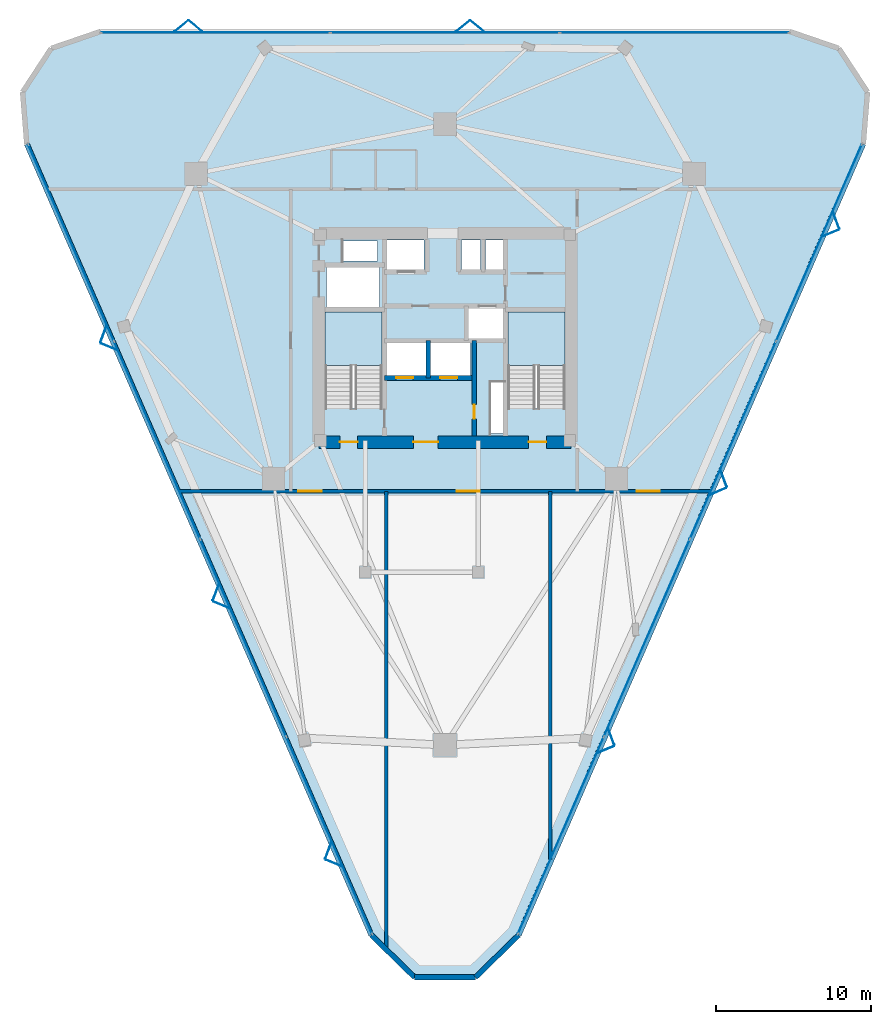
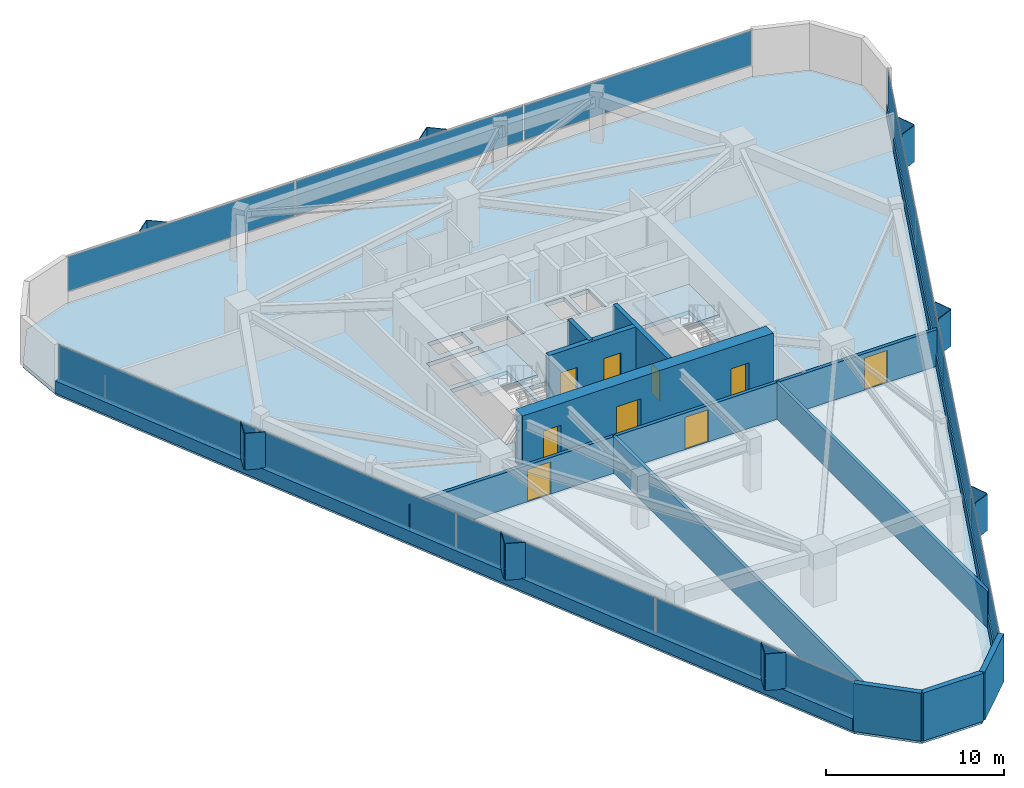
# One storey, part 9 of 13: 27 plates, 12 walls, 9 doors, 3 slabs, 9 openings, 5 elements without a shape of their own.
"""IFC4 building model written with IfcOpenShell, lengths in metres."""

from ifc_helpers import new_model, si_unit, direction, frame, frame_2d, origin, origin_2d, place, context, subcontext, project, spatial, polyline, rectangle, outline, extrude, material, layer, layer_set, type_object, element, fill, aggregate, save


model = new_model("IFC4")

# Units and contexts
model_context = context("Model", 3, precision=1e-05, world=origin(), true_north=direction((0.0, 1.0)))
body_context = subcontext(model_context, "Body", "Model", "MODEL_VIEW")
ifc_project = project(units=[si_unit("LENGTHUNIT", "METRE"), si_unit("AREAUNIT", "SQUARE_METRE"), si_unit("VOLUMEUNIT", "CUBIC_METRE"), si_unit("PLANEANGLEUNIT", "RADIAN"), si_unit("MASSUNIT", "GRAM", prefix="KILO")], contexts=[model_context])

# Site, building, storey
site_placement = place(None, origin())
site = spatial("IfcSite", under=ifc_project, at=site_placement, CompositionType="ELEMENT")
building_placement = place(site_placement, origin())
building = spatial("IfcBuilding", under=site, at=building_placement, Name="Talyreon Biosciences Tower", CompositionType="ELEMENT")
storey_placement = place(building_placement, frame((0.0, 0.0, 167.35009765625)))
storey = spatial("IfcBuildingStorey", under=building, at=storey_placement, Name="L44", CompositionType="ELEMENT", Elevation=167.35009765625)

# Curtain wall, plates
ifc_material_1 = material(Name="Thermally broken aluminium and low-E glazing", Category="aluminium")
ifc_layer_1 = layer(ifc_material_1, 0.18505859375)
ifc_layer_set_1 = layer_set([ifc_layer_1], Name="Thermally broken aluminium and low-E glazing")
curtain_wall_type = type_object("IfcCurtainWallType", Name="CurtainWall_Zone3Bioprocess", PredefinedType="NOTDEFINED", material=ifc_layer_set_1)
curtain_wall_1_placement = place(storey_placement, origin())
curtain_wall_1 = element("IfcCurtainWall", 1, at=curtain_wall_1_placement, inside=storey, type_object=curtain_wall_type, Name="L44 Unitised Curtain Wall FCW-L44-00", PredefinedType="NOTDEFINED")
ifc_material_2 = material(Name="Triple-silver low-E insulated glazing", Category="glass")
ifc_layer_2 = layer(ifc_material_2, 0.031982421875)
ifc_layer_set_2 = layer_set([ifc_layer_2], Name="Triple-silver low-E insulated glazing")
plate_type_1 = type_object("IfcPlateType", Name="CWGlazingPanel_32", PredefinedType="CURTAIN_PANEL", material=ifc_layer_set_2)
plate_1_placement = place(storey_placement, frame((58.5166015625, 35.83154296875, 0.875), z_axis=(0.0, 0.0, 1.0), x_axis=(-0.399300253505, 0.916820215501, 0.0)))
plate_1 = element("IfcPlate", 2, at=plate_1_placement, type_object=plate_type_1, Name="CW4 panel 1.1", PredefinedType="CURTAIN_PANEL", context=body_context, shape_type="SweptSolid", body=[
    extrude(rectangle(XDim=13.84033203125, YDim=0.031982421875, at=origin_2d()), origin(), (0.0, 0.0, 1.0), 2.360107421875),
])
plate_2_placement = place(storey_placement, frame((52.957763671875, 48.59521484375, 0.875), z_axis=(0.0, 0.0, 1.0), x_axis=(-0.399300253505, 0.916820215501, 0.0)))
plate_2 = element("IfcPlate", 3, at=plate_2_placement, type_object=plate_type_1, Name="CW4 panel 2.1", PredefinedType="CURTAIN_PANEL", context=body_context, shape_type="SweptSolid", body=[
    extrude(rectangle(XDim=13.872802734375, YDim=0.031982421875, at=origin_2d()), origin(), (0.0, 0.0, 1.0), 2.360107421875),
])
plate_3_placement = place(storey_placement, frame((47.392333984375, 61.37353515625, 0.875), z_axis=(0.0, 0.0, 1.0), x_axis=(-0.399300253505, 0.916820215501, 0.0)))
plate_3 = element("IfcPlate", 4, at=plate_3_placement, type_object=plate_type_1, Name="CW4 panel 3.1", PredefinedType="CURTAIN_PANEL", context=body_context, shape_type="SweptSolid", body=[
    extrude(rectangle(XDim=13.872802734375, YDim=0.031982421875, at=origin_2d()), origin(), (0.0, 0.0, 1.0), 2.360107421875),
])
plate_4_placement = place(storey_placement, frame((41.83349609375, 74.13720703125, 0.875), z_axis=(0.0, 0.0, 1.0), x_axis=(-0.399300253505, 0.916820215501, 0.0)))
plate_4 = element("IfcPlate", 5, at=plate_4_placement, type_object=plate_type_1, Name="CW4 panel 4.1", PredefinedType="CURTAIN_PANEL", context=body_context, shape_type="SweptSolid", body=[
    extrude(rectangle(XDim=13.84033203125, YDim=0.031982421875, at=origin_2d()), origin(), (0.0, 0.0, 1.0), 2.360107421875),
])
aggregate(curtain_wall_1, [plate_1, plate_2, plate_3, plate_4])

curtain_wall_2_placement = place(storey_placement, origin())
curtain_wall_2 = element("IfcCurtainWall", 6, at=curtain_wall_2_placement, inside=storey, type_object=curtain_wall_type, Name="L44 Unitised Curtain Wall FCW-L44-04", PredefinedType="NOTDEFINED")
plate_5_placement = place(storey_placement, frame((51.17529296875, 87.705810546875, 0.875), z_axis=(0.0, 0.0, 1.0), x_axis=(1.0, 0.0, 0.0)))
plate_5 = element("IfcPlate", 7, at=plate_5_placement, type_object=plate_type_1, Name="CW4 panel 1.1", PredefinedType="CURTAIN_PANEL", context=body_context, shape_type="SweptSolid", body=[
    extrude(rectangle(XDim=14.743408203125, YDim=0.031982421875, at=origin_2d()), origin(), (0.0, 0.0, 1.0), 2.360107421875),
])
plate_6_placement = place(storey_placement, frame((66.0, 87.705810546875, 0.875), z_axis=(0.0, 0.0, 1.0), x_axis=(1.0, 0.0, 0.0)))
plate_6 = element("IfcPlate", 8, at=plate_6_placement, type_object=plate_type_1, Name="CW4 panel 2.1", PredefinedType="CURTAIN_PANEL", context=body_context, shape_type="SweptSolid", body=[
    extrude(rectangle(XDim=14.77587890625, YDim=0.031982421875, at=origin_2d()), origin(), (0.0, 0.0, 1.0), 2.360107421875),
])
plate_7_placement = place(storey_placement, frame((80.82470703125, 87.705810546875, 0.875), z_axis=(0.0, 0.0, 1.0), x_axis=(1.0, 0.0, 0.0)))
plate_7 = element("IfcPlate", 9, at=plate_7_placement, type_object=plate_type_1, Name="CW4 panel 3.1", PredefinedType="CURTAIN_PANEL", context=body_context, shape_type="SweptSolid", body=[
    extrude(rectangle(XDim=14.743408203125, YDim=0.031982421875, at=origin_2d()), origin(), (0.0, 0.0, 1.0), 2.360107421875),
])
aggregate(curtain_wall_2, [plate_5, plate_6, plate_7])

curtain_wall_3_placement = place(storey_placement, origin())
curtain_wall_3 = element("IfcCurtainWall", 10, at=curtain_wall_3_placement, inside=storey, type_object=curtain_wall_type, Name="L44 Unitised Curtain Wall FCW-L44-08", PredefinedType="NOTDEFINED")
plate_8_placement = place(storey_placement, frame((90.16650390625, 74.13720703125, 0.875), z_axis=(0.0, 0.0, 1.0), x_axis=(-0.399300253505, -0.916820215501, 0.0)))
plate_8 = element("IfcPlate", 11, at=plate_8_placement, type_object=plate_type_1, Name="CW4 panel 1.1", PredefinedType="CURTAIN_PANEL", context=body_context, shape_type="SweptSolid", body=[
    extrude(rectangle(XDim=13.84033203125, YDim=0.031982421875, at=origin_2d()), origin(), (0.0, 0.0, 1.0), 2.360107421875),
])
plate_9_placement = place(storey_placement, frame((84.607666015625, 61.37353515625, 0.875), z_axis=(0.0, 0.0, 1.0), x_axis=(-0.399300253505, -0.916820215501, 0.0)))
plate_9 = element("IfcPlate", 12, at=plate_9_placement, type_object=plate_type_1, Name="CW4 panel 2.1", PredefinedType="CURTAIN_PANEL", context=body_context, shape_type="SweptSolid", body=[
    extrude(rectangle(XDim=13.872802734375, YDim=0.031982421875, at=origin_2d()), origin(), (0.0, 0.0, 1.0), 2.360107421875),
])
plate_10_placement = place(storey_placement, frame((79.042236328125, 48.59521484375, 0.875), z_axis=(0.0, 0.0, 1.0), x_axis=(-0.399300253505, -0.916820215501, 0.0)))
plate_10 = element("IfcPlate", 13, at=plate_10_placement, type_object=plate_type_1, Name="CW4 panel 3.1", PredefinedType="CURTAIN_PANEL", context=body_context, shape_type="SweptSolid", body=[
    extrude(rectangle(XDim=13.872802734375, YDim=0.031982421875, at=origin_2d()), origin(), (0.0, 0.0, 1.0), 2.360107421875),
])
plate_11_placement = place(storey_placement, frame((73.4833984375, 35.83154296875, 0.875), z_axis=(0.0, 0.0, 1.0), x_axis=(-0.399300253505, -0.916820215501, 0.0)))
plate_11 = element("IfcPlate", 14, at=plate_11_placement, type_object=plate_type_1, Name="CW4 panel 4.1", PredefinedType="CURTAIN_PANEL", context=body_context, shape_type="SweptSolid", body=[
    extrude(rectangle(XDim=13.84033203125, YDim=0.031982421875, at=origin_2d()), origin(), (0.0, 0.0, 1.0), 2.360107421875),
])
aggregate(curtain_wall_3, [plate_8, plate_9, plate_10, plate_11])

# Plates
ifc_material_3 = material(Name="Ivory GFRC sunshade panel", Category="concrete")
ifc_layer_3 = layer(ifc_material_3, 0.044921875)
ifc_layer_set_3 = layer_set([ifc_layer_3], Name="Ivory GFRC sunshade panel")
plate_type_2 = type_object("IfcPlateType", Name="FoldedVSunshade_NorthFace_SUNSHADE", PredefinedType="USERDEFINED", material=ifc_layer_set_3)
for number, where, z_axis, x_axis, name in (
    (15, (48.95849609375, 88.145751953125, 0.7900390625), (0.0, 0.0, 1.0), (0.771624583388, 0.636078220278, 0.0), "L44 Folded V-Sunshade Panel 04.01L"),
    (16, (49.8583984375, 88.145751953125, 0.7900390625), (0.0, 0.0, 1.0), (0.771624583388, -0.636078220278, 0.0), "L44 Folded V-Sunshade Panel 04.01R"),
    (17, (67.158447265625, 88.145751953125, 0.7900390625), (0.0, 0.0, 1.0), (0.771624583388, 0.636078220278, 0.0), "L44 Folded V-Sunshade Panel 04.02L"),
    (18, (68.05859375, 88.145751953125, 0.7900390625), (0.0, 0.0, 1.0), (0.771624583388, -0.636078220278, 0.0), "L44 Folded V-Sunshade Panel 04.02R"),
):
    element("IfcPlate", number, at=place(storey_placement, frame(where, z_axis=z_axis, x_axis=x_axis)), inside=storey, type_object=plate_type_2, Name=name, ObjectType="SUNSHADE", PredefinedType="USERDEFINED", context=body_context, shape_type="SweptSolid", body=[
        extrude(rectangle(XDim=1.14990234375, YDim=0.044921875, at=origin_2d()), origin(), (0.0, 0.0, 1.0), 2.510009765625),
    ])
ifc_layer_4 = layer(ifc_material_3, 0.044921875)
ifc_layer_set_4 = layer_set([ifc_layer_4], Name="Ivory GFRC sunshade panel")
plate_type_3 = type_object("IfcPlateType", Name="FoldedVSunshade_SunFace_SUNSHADE", PredefinedType="USERDEFINED", material=ifc_layer_set_4)
for number, where, z_axis, x_axis, name in (
    (19, (58.818115234375, 34.03759765625, 0.7900390625), (0.0, 0.0, 1.0), (-0.924106458752, 0.382135123868, 0.0), "L44 Folded V-Sunshade Panel 00.01L"),
    (20, (58.458740234375, 34.86279296875, 0.7900390625), (0.0, 0.0, 1.0), (0.349651487165, 0.936879841561, 0.0), "L44 Folded V-Sunshade Panel 00.01R"),
    (21, (51.55078125, 50.7236328125, 0.7900390625), (0.0, 0.0, 1.0), (-0.924106458752, 0.382135123868, 0.0), "L44 Folded V-Sunshade Panel 00.02L"),
    (22, (51.19140625, 51.548828125, 0.7900390625), (0.0, 0.0, 1.0), (0.349651487165, 0.936879841561, 0.0), "L44 Folded V-Sunshade Panel 00.02R"),
    (23, (44.28369140625, 67.409912109375, 0.7900390625), (0.0, 0.0, 1.0), (-0.924106458752, 0.382135123868, 0.0), "L44 Folded V-Sunshade Panel 00.03L"),
    (24, (43.92431640625, 68.23486328125, 0.7900390625), (0.0, 0.0, 1.0), (0.349651487165, 0.936879841561, 0.0), "L44 Folded V-Sunshade Panel 00.03R"),
    (25, (91.274658203125, 75.579833984375, 0.7900390625), (0.0, 0.0, 1.0), (0.349651487165, -0.936879841561, 0.0), "L44 Folded V-Sunshade Panel 08.01L"),
    (26, (90.915283203125, 74.754638671875, 0.7900390625), (0.0, 0.0, 1.0), (-0.924106458752, -0.382135123868, 0.0), "L44 Folded V-Sunshade Panel 08.01R"),
    (27, (84.00732421875, 58.893798828125, 0.7900390625), (0.0, 0.0, 1.0), (0.349651487165, -0.936879841561, 0.0), "L44 Folded V-Sunshade Panel 08.02L"),
    (28, (83.648193359375, 58.068603515625, 0.7900390625), (0.0, 0.0, 1.0), (-0.924106458752, -0.382135123868, 0.0), "L44 Folded V-Sunshade Panel 08.02R"),
    (29, (76.740234375, 42.20751953125, 0.7900390625), (0.0, 0.0, 1.0), (0.349651487165, -0.936879841561, 0.0), "L44 Folded V-Sunshade Panel 08.03L"),
    (30, (76.380859375, 41.382568359375, 0.7900390625), (0.0, 0.0, 1.0), (-0.924106458752, -0.382135123868, 0.0), "L44 Folded V-Sunshade Panel 08.03R"),
):
    element("IfcPlate", number, at=place(storey_placement, frame(where, z_axis=z_axis, x_axis=x_axis)), inside=storey, type_object=plate_type_3, Name=name, ObjectType="SUNSHADE", PredefinedType="USERDEFINED", context=body_context, shape_type="SweptSolid", body=[
        extrude(rectangle(XDim=1.14990234375, YDim=0.044921875, at=origin_2d()), origin(), (0.0, 0.0, 1.0), 2.510009765625),
    ])

# Stair, slab
ifc_material_4 = material(Name="Concrete C40/50", Category="concrete")
stair_type = type_object("IfcStairType", Name="DoglegEscapeStair_3650", PredefinedType="HALF_TURN_STAIR", material=ifc_material_4)
stair_1_placement = place(storey_placement, origin())
stair_1 = element("IfcStair", 31, at=stair_1_placement, inside=storey, type_object=stair_type, Name="L44 Core Escape Stair 1", PredefinedType="HALF_TURN_STAIR")
ifc_layer_5 = layer(ifc_material_4, 0.199951171875)
ifc_layer_set_5 = layer_set([ifc_layer_5], Name="Concrete C40/50")
slab_type_1 = type_object("IfcSlabType", Name="StairLandingSlab_200", PredefinedType="LANDING", material=ifc_layer_set_5)
slab_1_placement = place(storey_placement, frame((0.0, 0.0, 1.625)))
slab_1 = element("IfcSlab", 32, at=slab_1_placement, type_object=slab_type_1, Name="ST-1 landing 1", PredefinedType="LANDING", context=body_context, shape_type="SweptSolid", body=[
    extrude(outline(polyline([(61.929931640625, 66.199951171875), (61.929931640625, 69.64990234375), (58.25, 69.64990234375), (58.25, 66.199951171875), (61.929931640625, 66.199951171875)])), origin(), (0.0, 0.0, 1.0), 0.199951171875),
])
aggregate(stair_1, [slab_1])

stair_2_placement = place(storey_placement, origin())
stair_2 = element("IfcStair", 33, at=stair_2_placement, inside=storey, type_object=stair_type, Name="L44 Core Escape Stair 2", PredefinedType="HALF_TURN_STAIR")
slab_2_placement = place(storey_placement, frame((0.0, 0.0, 1.625)))
slab_2 = element("IfcSlab", 34, at=slab_2_placement, type_object=slab_type_1, Name="ST-2 landing 1", PredefinedType="LANDING", context=body_context, shape_type="SweptSolid", body=[
    extrude(outline(polyline([(73.75, 66.199951171875), (73.75, 69.64990234375), (70.070068359375, 69.64990234375), (70.070068359375, 66.199951171875), (73.75, 66.199951171875)])), origin(), (0.0, 0.0, 1.0), 0.199951171875),
])
aggregate(stair_2, [slab_2])

# Slab
ifc_layer_6 = layer(ifc_material_4, 0.27490234375)
ifc_layer_set_6 = layer_set([ifc_layer_6], Name="Concrete C40/50")
slab_type_2 = type_object("IfcSlabType", Name="WetLabFloorSlab_275", PredefinedType="FLOOR", material=ifc_layer_set_6)
slab_3_placement = place(storey_placement, frame((0.0, 0.0, -0.275146484375)))
element("IfcSlab", 35, at=slab_3_placement, inside=storey, type_object=slab_type_2, Name="L44 Structural Floor Slab", PredefinedType="FLOOR", context=body_context, shape_type="SweptSolid", body=[
    extrude(outline(polyline([(61.232421875, 29.3955078125), (38.970947265625, 80.509521484375), (38.69970703125, 83.87109375), (40.548095703125, 86.69189453125), (43.738525390625, 87.78564453125), (88.261474609375, 87.78564453125), (91.451904296875, 86.69189453125), (93.30029296875, 83.87109375), (93.029052734375, 80.509521484375), (70.767578125, 29.3955078125), (67.9609375, 26.65576171875), (64.0390625, 26.65576171875), (61.232421875, 29.3955078125)]), holes=[polyline([(61.929931640625, 69.64990234375), (61.929931640625, 63.407958984375), (58.25, 63.407958984375), (58.25, 69.64990234375), (61.929931640625, 69.64990234375)]), polyline([(64.800048828125, 67.64990234375), (64.800048828125, 65.550048828125), (62.199951171875, 65.550048828125), (62.199951171875, 67.64990234375), (64.800048828125, 67.64990234375)]), polyline([(67.64990234375, 67.64990234375), (67.64990234375, 65.550048828125), (65.050048828125, 65.550048828125), (65.050048828125, 67.64990234375), (67.64990234375, 67.64990234375)]), polyline([(61.75, 69.97998046875), (58.35009765625, 69.97998046875), (58.35009765625, 72.550048828125), (61.75, 72.550048828125), (61.75, 69.97998046875)]), polyline([(64.64990234375, 72.35009765625), (62.199951171875, 72.35009765625), (62.199951171875, 74.300048828125), (64.64990234375, 74.300048828125), (64.64990234375, 72.35009765625)]), polyline([(61.64990234375, 74.25), (61.64990234375, 72.9599609375), (59.39990234375, 72.9599609375), (59.39990234375, 74.25), (61.64990234375, 74.25)]), polyline([(69.820068359375, 61.800048828125), (68.9599609375, 61.800048828125), (68.9599609375, 65.10009765625), (69.820068359375, 65.10009765625), (69.820068359375, 61.800048828125)]), polyline([(73.75, 63.407958984375), (70.070068359375, 63.407958984375), (70.070068359375, 69.64990234375), (73.75, 69.64990234375), (73.75, 63.407958984375)]), polyline([(69.89990234375, 69.949951171875), (69.89990234375, 67.949951171875), (67.5, 67.949951171875), (67.5, 69.949951171875), (69.89990234375, 69.949951171875)]), polyline([(68.300048828125, 72.35009765625), (67.050048828125, 72.35009765625), (67.050048828125, 74.300048828125), (68.300048828125, 74.300048828125), (68.300048828125, 72.35009765625)]), polyline([(69.919921875, 72.35009765625), (68.6201171875, 72.35009765625), (68.6201171875, 74.300048828125), (69.919921875, 74.300048828125), (69.919921875, 72.35009765625)])]), origin(), (0.0, 0.0, 1.0), 0.275146484375),
])

# Walls
ifc_material_5 = material(Name="Gypsum fireboard acoustic stud", Category="gypsum")
ifc_layer_7 = layer(ifc_material_5, 0.199951171875)
ifc_layer_set_7 = layer_set([ifc_layer_7], Name="Gypsum fireboard acoustic stud")
wall_type_1 = type_object("IfcWallType", Name="ChemControlPartition_200", PredefinedType="PARTITIONING", material=ifc_layer_set_7)
wall_1_placement = place(storey_placement, frame((62.199951171875, 28.56982421875, 0.0), z_axis=(0.0, 0.0, 1.0), x_axis=(0.0, 1.0, 0.0)))
element("IfcWall", 36, at=wall_1_placement, inside=storey, type_object=wall_type_1, Name="L44 Interior Wall IW-L44-SDIV1", PredefinedType="PARTITIONING", context=body_context, shape_type="SweptSolid", body=[
    extrude(rectangle(XDim=29.500244140625, YDim=0.199951171875, at=frame_2d((14.75, 0.0))), origin(), (0.0, 0.0, 1.0), 2.5),
])
wall_2_placement = place(storey_placement, frame((72.801025390625, 34.27734375, 0.0), z_axis=(0.0, 0.0, 1.0), x_axis=(0.0, 1.0, 0.0)))
element("IfcWall", 37, at=wall_2_placement, inside=storey, type_object=wall_type_1, Name="L44 Interior Wall IW-L44-SDIV2", PredefinedType="PARTITIONING", context=body_context, shape_type="SweptSolid", body=[
    extrude(rectangle(XDim=23.792724609375, YDim=0.199951171875, at=frame_2d((11.896484375, 0.0))), origin(), (0.0, 0.0, 1.0), 2.5),
])
ifc_material_6 = material(Name="Concrete C50/60", Category="concrete")
ifc_layer_8 = layer(ifc_material_6, 0.280029296875)
ifc_layer_set_8 = layer_set([ifc_layer_8], Name="Concrete C50/60")
wall_type_2 = type_object("IfcWallType", Name="CoreShearWall_280", PredefinedType="SHEAR", material=ifc_layer_set_8)
wall_3_placement = place(storey_placement, frame((64.919921875, 65.39990234375, 0.0), z_axis=(0.0, 0.0, 1.0), x_axis=(0.0, 1.0, 0.0)))
element("IfcWall", 38, at=wall_3_placement, inside=storey, type_object=wall_type_2, Name="L44 Core Shaft Wall SWSHD1", PredefinedType="SHEAR", context=body_context, shape_type="SweptSolid", body=[
    extrude(rectangle(XDim=2.400146484375, YDim=0.280029296875, at=frame_2d((1.2001953125, 0.0))), origin(), (0.0, 0.0, 1.0), 3.64990234375),
])

# Wall, opening, door
wall_4_placement = place(storey_placement, frame((67.8798828125, 61.64990234375, 0.0), z_axis=(0.0, 0.0, 1.0), x_axis=(0.0, 1.0, 0.0)))
wall_4 = element("IfcWall", 39, at=wall_4_placement, inside=storey, type_object=wall_type_2, Name="L44 Core Shaft Wall SWFFE", PredefinedType="SHEAR", context=body_context, shape_type="SweptSolid", body=[
    extrude(rectangle(XDim=6.150146484375, YDim=0.280029296875, at=frame_2d((3.0751953125, 0.0))), origin(), (0.0, 0.0, 1.0), 3.64990234375),
])
opening_1_placement = place(wall_4_placement, frame((1.10009765625, 0.0, 0.0)))
opening_1 = element("IfcOpeningElement", 40, at=opening_1_placement, cuts=wall_4, Name="Opening DR-L44-RSE", PredefinedType="OPENING", context=body_context, shape_type="SweptSolid", body=[
    extrude(rectangle(XDim=0.919921875, YDim=2.050048828125, at=frame_2d((0.4599609375, 1.02490234375))), frame((0.0, 0.14990234375, 0.0), z_axis=(0.0, -1.0, 0.0), x_axis=(1.0, 0.0, 0.0)), (0.0, 0.0, 1.0), 0.300048828125),
])
ifc_material_7 = material(Name="Painted steel fire-rated riser door", Category="steel")
door_type_1 = type_object("IfcDoorType", Name="RiserPlantAccessDoor_920x2050", OperationType="NOTDEFINED", PredefinedType="DOOR", material=ifc_material_7)
door_1_placement = place(opening_1_placement, origin())
door_1 = element("IfcDoor", 41, at=door_1_placement, inside=storey, type_object=door_type_1, Name="L44 Core Door DR-L44-RSE", OperationType="SINGLE_SWING_RIGHT", OverallHeight=2.050048828125, OverallWidth=0.919921875, PredefinedType="DOOR", context=body_context, shape_type="SweptSolid", body=[
    extrude(rectangle(XDim=0.919921875, YDim=2.050048828125, at=frame_2d((0.4599609375, 1.02490234375))), frame((0.0, 0.02490234375, 0.0), z_axis=(0.0, -1.0, 0.0), x_axis=(1.0, 0.0, 0.0)), (0.0, 0.0, 1.0), 0.050048828125),
])
fill(opening_1, door_1)

# Wall, openings, doors
ifc_layer_9 = layer(ifc_material_6, 0.320068359375)
ifc_layer_set_9 = layer_set([ifc_layer_9], Name="Concrete C50/60")
wall_type_3 = type_object("IfcWallType", Name="CoreShearWall_320", PredefinedType="SHEAR", material=ifc_layer_set_9)
wall_5_placement = place(storey_placement, frame((62.090087890625, 65.39990234375, 0.0), z_axis=(0.0, 0.0, 1.0), x_axis=(1.0, 0.0, 0.0)))
wall_5 = element("IfcWall", 42, at=wall_5_placement, inside=storey, type_object=wall_type_3, Name="L44 Core Shaft Wall SWFFN", PredefinedType="SHEAR", context=body_context, shape_type="SweptSolid", body=[
    extrude(rectangle(XDim=5.789794921875, YDim=0.320068359375, at=frame_2d((2.89501953125, 0.0))), origin(), (0.0, 0.0, 1.0), 3.64990234375),
])
opening_2_placement = place(wall_5_placement, frame((0.75, 0.0, 0.0)))
opening_2 = element("IfcOpeningElement", 43, at=opening_2_placement, cuts=wall_5, Name="Opening LD-L44-FL1", PredefinedType="OPENING", context=body_context, shape_type="SweptSolid", body=[
    extrude(rectangle(XDim=1.10009765625, YDim=2.199951171875, at=frame_2d((0.550048828125, 1.10009765625))), frame((0.0, 0.169921875, 0.0), z_axis=(0.0, -1.0, 0.0), x_axis=(1.0, 0.0, 0.0)), (0.0, 0.0, 1.0), 0.340087890625),
])
opening_3_placement = place(wall_5_placement, frame((3.60009765625, 0.0, 0.0)))
opening_3 = element("IfcOpeningElement", 44, at=opening_3_placement, cuts=wall_5, Name="Opening LD-L44-FL2", PredefinedType="OPENING", context=body_context, shape_type="SweptSolid", body=[
    extrude(rectangle(XDim=1.10009765625, YDim=2.199951171875, at=frame_2d((0.550048828125, 1.10009765625))), frame((0.0, 0.169921875, 0.0), z_axis=(0.0, -1.0, 0.0), x_axis=(1.0, 0.0, 0.0)), (0.0, 0.0, 1.0), 0.340087890625),
])
ifc_material_8 = material(Name="Brushed stainless-steel lift landing door", Category="steel")
door_type_2 = type_object("IfcDoorType", Name="LiftSlidingLandingDoor_1100x2200", OperationType="SLIDING_TO_LEFT", PredefinedType="DOOR", material=ifc_material_8)
door_2_placement = place(opening_2_placement, origin())
door_2 = element("IfcDoor", 45, at=door_2_placement, inside=storey, type_object=door_type_2, Name="L44 Core Door LD-L44-FL1", OperationType="SLIDING_TO_LEFT", OverallHeight=2.199951171875, OverallWidth=1.10009765625, PredefinedType="DOOR", context=body_context, shape_type="SweptSolid", body=[
    extrude(rectangle(XDim=1.10009765625, YDim=2.199951171875, at=frame_2d((0.550048828125, 1.10009765625))), frame((0.0, 0.02490234375, 0.0), z_axis=(0.0, -1.0, 0.0), x_axis=(1.0, 0.0, 0.0)), (0.0, 0.0, 1.0), 0.050048828125),
])
fill(opening_2, door_2)
door_3_placement = place(opening_3_placement, origin())
door_3 = element("IfcDoor", 46, at=door_3_placement, inside=storey, type_object=door_type_2, Name="L44 Core Door LD-L44-FL2", OperationType="SLIDING_TO_LEFT", OverallHeight=2.199951171875, OverallWidth=1.10009765625, PredefinedType="DOOR", context=body_context, shape_type="SweptSolid", body=[
    extrude(rectangle(XDim=1.10009765625, YDim=2.199951171875, at=frame_2d((0.550048828125, 1.10009765625))), frame((0.0, 0.02490234375, 0.0), z_axis=(0.0, -1.0, 0.0), x_axis=(1.0, 0.0, 0.0)), (0.0, 0.0, 1.0), 0.050048828125),
])
fill(opening_3, door_3)

ifc_material_9 = material(Name="Concrete C60/75", Category="concrete")
ifc_layer_10 = layer(ifc_material_9, 0.800048828125)
ifc_layer_set_10 = layer_set([ifc_layer_10], Name="Concrete C60/75")
wall_type_4 = type_object("IfcWallType", Name="CoreShearWall_800", PredefinedType="SHEAR", material=ifc_layer_set_10)
wall_6_placement = place(storey_placement, frame((57.85009765625, 61.25, 0.0), z_axis=(0.0, 0.0, 1.0), x_axis=(1.0, 0.0, 0.0)))
wall_6 = element("IfcWall", 47, at=wall_6_placement, inside=storey, type_object=wall_type_4, Name="L44 Core Shear Wall S", PredefinedType="SHEAR", context=body_context, shape_type="SweptSolid", body=[
    extrude(rectangle(XDim=16.2998046875, YDim=0.800048828125, at=frame_2d((8.14990234375, 0.0))), origin(), (0.0, 0.0, 1.0), 3.64990234375),
])
opening_4_placement = place(wall_6_placement, frame((1.35009765625, 0.0, 0.0)))
opening_4 = element("IfcOpeningElement", 48, at=opening_4_placement, cuts=wall_6, Name="Opening DR-L44-ST1", PredefinedType="OPENING", context=body_context, shape_type="SweptSolid", body=[
    extrude(rectangle(XDim=1.14990234375, YDim=2.14990234375, at=frame_2d((0.574951171875, 1.074951171875))), frame((0.0, 0.409912109375, 0.0), z_axis=(0.0, -1.0, 0.0), x_axis=(1.0, 0.0, 0.0)), (0.0, 0.0, 1.0), 0.820068359375),
])
opening_5_placement = place(wall_6_placement, frame((6.10009765625, 0.0, 0.0)))
opening_5 = element("IfcOpeningElement", 49, at=opening_5_placement, cuts=wall_6, Name="Opening DR-L44-FFL", PredefinedType="OPENING", context=body_context, shape_type="SweptSolid", body=[
    extrude(rectangle(XDim=1.60009765625, YDim=2.14990234375, at=frame_2d((0.800048828125, 1.074951171875))), frame((0.0, 0.409912109375, 0.0), z_axis=(0.0, -1.0, 0.0), x_axis=(1.0, 0.0, 0.0)), (0.0, 0.0, 1.0), 0.820068359375),
])
opening_6_placement = place(wall_6_placement, frame((13.550048828125, 0.0, 0.0)))
opening_6 = element("IfcOpeningElement", 50, at=opening_6_placement, cuts=wall_6, Name="Opening DR-L44-ST2", PredefinedType="OPENING", context=body_context, shape_type="SweptSolid", body=[
    extrude(rectangle(XDim=1.14990234375, YDim=2.14990234375, at=frame_2d((0.574951171875, 1.074951171875))), frame((0.0, 0.409912109375, 0.0), z_axis=(0.0, -1.0, 0.0), x_axis=(1.0, 0.0, 0.0)), (0.0, 0.0, 1.0), 0.820068359375),
])
ifc_material_10 = material(Name="Painted steel smoke-seal fire door", Category="steel")
door_type_3 = type_object("IfcDoorType", Name="FirefightingLobbyDoubleDoor_1600x2150", OperationType="DOUBLE_DOOR_SINGLE_SWING", PredefinedType="DOOR", material=ifc_material_10)
door_4_placement = place(opening_5_placement, origin())
door_4 = element("IfcDoor", 51, at=door_4_placement, inside=storey, type_object=door_type_3, Name="L44 Core Door DR-L44-FFL", OperationType="DOUBLE_DOOR_SINGLE_SWING", OverallHeight=2.14990234375, OverallWidth=1.60009765625, PredefinedType="DOOR", context=body_context, shape_type="SweptSolid", body=[
    extrude(rectangle(XDim=1.60009765625, YDim=2.14990234375, at=frame_2d((0.800048828125, 1.074951171875))), frame((0.0, 0.02490234375, 0.0), z_axis=(0.0, -1.0, 0.0), x_axis=(1.0, 0.0, 0.0)), (0.0, 0.0, 1.0), 0.050048828125),
])
fill(opening_5, door_4)
ifc_material_11 = material(Name="Painted steel fire door", Category="steel")
door_type_4 = type_object("IfcDoorType", Name="StairShaftFireDoor_1150x2150", OperationType="NOTDEFINED", PredefinedType="DOOR", material=ifc_material_11)
door_5_placement = place(opening_4_placement, origin())
door_5 = element("IfcDoor", 52, at=door_5_placement, inside=storey, type_object=door_type_4, Name="L44 Core Door DR-L44-ST1", OperationType="SINGLE_SWING_LEFT", OverallHeight=2.14990234375, OverallWidth=1.14990234375, PredefinedType="DOOR", context=body_context, shape_type="SweptSolid", body=[
    extrude(rectangle(XDim=1.14990234375, YDim=2.14990234375, at=frame_2d((0.574951171875, 1.074951171875))), frame((0.0, 0.02490234375, 0.0), z_axis=(0.0, -1.0, 0.0), x_axis=(1.0, 0.0, 0.0)), (0.0, 0.0, 1.0), 0.050048828125),
])
fill(opening_4, door_5)
door_6_placement = place(opening_6_placement, origin())
door_6 = element("IfcDoor", 53, at=door_6_placement, inside=storey, type_object=door_type_4, Name="L44 Core Door DR-L44-ST2", OperationType="SINGLE_SWING_RIGHT", OverallHeight=2.14990234375, OverallWidth=1.14990234375, PredefinedType="DOOR", context=body_context, shape_type="SweptSolid", body=[
    extrude(rectangle(XDim=1.14990234375, YDim=2.14990234375, at=frame_2d((0.574951171875, 1.074951171875))), frame((0.0, 0.02490234375, 0.0), z_axis=(0.0, -1.0, 0.0), x_axis=(1.0, 0.0, 0.0)), (0.0, 0.0, 1.0), 0.050048828125),
])
fill(opening_6, door_6)

ifc_layer_11 = layer(ifc_material_5, 0.219970703125)
ifc_layer_set_11 = layer_set([ifc_layer_11], Name="Gypsum fireboard acoustic stud")
wall_type_5 = type_object("IfcWallType", Name="CorridorRatedPartition_220", PredefinedType="PARTITIONING", material=ifc_layer_set_11)
wall_7_placement = place(storey_placement, frame((48.836669921875, 58.070068359375, 0.0), z_axis=(0.0, 0.0, 1.0), x_axis=(1.0, 0.0, 0.0)))
wall_7 = element("IfcWall", 54, at=wall_7_placement, inside=storey, type_object=wall_type_5, Name="L44 Interior Wall IW-L44-COR-S", PredefinedType="PARTITIONING", context=body_context, shape_type="SweptSolid", body=[
    extrude(rectangle(XDim=34.32666015625, YDim=0.219970703125, at=frame_2d((17.163330078125, 0.0))), origin(), (0.0, 0.0, 1.0), 2.5),
])
opening_7_placement = place(wall_7_placement, frame((7.68310546875, 0.0, 0.0)))
opening_7 = element("IfcOpeningElement", 55, at=opening_7_placement, cuts=wall_7, Name="Opening DR-L44-S1A", PredefinedType="OPENING", context=body_context, shape_type="SweptSolid", body=[
    extrude(rectangle(XDim=1.5, YDim=2.199951171875, at=frame_2d((0.75, 1.10009765625))), frame((0.0, 0.119873046875, 0.0), z_axis=(0.0, -1.0, 0.0), x_axis=(1.0, 0.0, 0.0)), (0.0, 0.0, 1.0), 0.239990234375),
])
opening_8_placement = place(wall_7_placement, frame((17.9140625, 0.0, 0.0)))
opening_8 = element("IfcOpeningElement", 56, at=opening_8_placement, cuts=wall_7, Name="Opening DR-L44-S2A", PredefinedType="OPENING", context=body_context, shape_type="SweptSolid", body=[
    extrude(rectangle(XDim=1.5, YDim=2.199951171875, at=frame_2d((0.75, 1.10009765625))), frame((0.0, 0.119873046875, 0.0), z_axis=(0.0, -1.0, 0.0), x_axis=(1.0, 0.0, 0.0)), (0.0, 0.0, 1.0), 0.239990234375),
])
opening_9_placement = place(wall_7_placement, frame((29.5458984375, 0.0, 0.0)))
opening_9 = element("IfcOpeningElement", 57, at=opening_9_placement, cuts=wall_7, Name="Opening DR-L44-S3A", PredefinedType="OPENING", context=body_context, shape_type="SweptSolid", body=[
    extrude(rectangle(XDim=1.5, YDim=2.199951171875, at=frame_2d((0.75, 1.10009765625))), frame((0.0, 0.119873046875, 0.0), z_axis=(0.0, -1.0, 0.0), x_axis=(1.0, 0.0, 0.0)), (0.0, 0.0, 1.0), 0.239990234375),
])
ifc_material_12 = material(Name="Vision-panel steel laboratory fire door", Category="steel")
door_type_5 = type_object("IfcDoorType", Name="WetLabDoubleLeafDoor_1500x2200", OperationType="DOUBLE_DOOR_SINGLE_SWING", PredefinedType="DOOR", material=ifc_material_12)
door_7_placement = place(opening_7_placement, origin())
door_7 = element("IfcDoor", 58, at=door_7_placement, inside=storey, type_object=door_type_5, Name="L44 Interior Door DR-L44-S1A", OperationType="DOUBLE_DOOR_SINGLE_SWING", OverallHeight=2.199951171875, OverallWidth=1.5, PredefinedType="DOOR", context=body_context, shape_type="SweptSolid", body=[
    extrude(rectangle(XDim=1.5, YDim=2.199951171875, at=frame_2d((0.75, 1.10009765625))), frame((0.0, 0.02490234375, 0.0), z_axis=(0.0, -1.0, 0.0), x_axis=(1.0, 0.0, 0.0)), (0.0, 0.0, 1.0), 0.050048828125),
])
fill(opening_7, door_7)
door_8_placement = place(opening_8_placement, origin())
door_8 = element("IfcDoor", 59, at=door_8_placement, inside=storey, type_object=door_type_5, Name="L44 Interior Door DR-L44-S2A", OperationType="DOUBLE_DOOR_SINGLE_SWING", OverallHeight=2.199951171875, OverallWidth=1.5, PredefinedType="DOOR", context=body_context, shape_type="SweptSolid", body=[
    extrude(rectangle(XDim=1.5, YDim=2.199951171875, at=frame_2d((0.75, 1.10009765625))), frame((0.0, 0.02490234375, 0.0), z_axis=(0.0, -1.0, 0.0), x_axis=(1.0, 0.0, 0.0)), (0.0, 0.0, 1.0), 0.050048828125),
])
fill(opening_8, door_8)
door_9_placement = place(opening_9_placement, origin())
door_9 = element("IfcDoor", 60, at=door_9_placement, inside=storey, type_object=door_type_5, Name="L44 Interior Door DR-L44-S3A", OperationType="DOUBLE_DOOR_SINGLE_SWING", OverallHeight=2.199951171875, OverallWidth=1.5, PredefinedType="DOOR", context=body_context, shape_type="SweptSolid", body=[
    extrude(rectangle(XDim=1.5, YDim=2.199951171875, at=frame_2d((0.75, 1.10009765625))), frame((0.0, 0.02490234375, 0.0), z_axis=(0.0, -1.0, 0.0), x_axis=(1.0, 0.0, 0.0)), (0.0, 0.0, 1.0), 0.050048828125),
])
fill(opening_9, door_9)

# Walls
ifc_material_13 = material(Name="Precast concrete C45/55", Category="concrete")
ifc_layer_12 = layer(ifc_material_13, 0.340087890625)
ifc_layer_set_12 = layer_set([ifc_layer_12], Name="Precast concrete C45/55")
wall_type_6 = type_object("IfcWallType", Name="PrecastConcreteSpandrelWall_340", PredefinedType="STANDARD", material=ifc_layer_set_12)
for number, where, z_axis, x_axis, name in (
    (61, (61.232421875, 29.3955078125, 0.0), (0.0, 0.0, 1.0), (-0.399299124271, 0.916820707312, 0.0), "L44 Expressed Concrete Sill Wall 00"),
    (62, (93.029052734375, 80.509521484375, 0.0), (0.0, 0.0, 1.0), (-0.399299124271, -0.916820707312, 0.0), "L44 Expressed Concrete Sill Wall 08"),
):
    element("IfcWall", number, at=place(storey_placement, frame(where, z_axis=z_axis, x_axis=x_axis)), inside=storey, type_object=wall_type_6, Name=name, PredefinedType="STANDARD", context=body_context, shape_type="SweptSolid", body=[
        extrude(rectangle(XDim=55.75146484375, YDim=0.340087890625, at=frame_2d((27.875732421875, 0.0))), origin(), (0.0, 0.0, 1.0), 0.849853515625),
    ])
wall_8_placement = place(storey_placement, frame((70.767578125, 29.3955078125, 0.0), z_axis=(0.0, 0.0, 1.0), x_axis=(-0.715583095566, -0.698527618166, 0.0)))
element("IfcWall", 63, at=wall_8_placement, inside=storey, type_object=wall_type_6, Name="L44 Rounded-Corner Concrete Pier 09", PredefinedType="STANDARD", context=body_context, shape_type="SweptSolid", body=[
    extrude(rectangle(XDim=3.922119140625, YDim=0.340087890625, at=frame_2d((1.9609375, 0.0))), origin(), (0.0, 0.0, 1.0), 3.2998046875),
])
wall_9_placement = place(storey_placement, frame((67.9609375, 26.65576171875, 0.0), z_axis=(0.0, 0.0, 1.0), x_axis=(-1.0, 0.0, 0.0)))
element("IfcWall", 64, at=wall_9_placement, inside=storey, type_object=wall_type_6, Name="L44 Rounded-Corner Concrete Pier 10", PredefinedType="STANDARD", context=body_context, shape_type="SweptSolid", body=[
    extrude(rectangle(XDim=3.921875, YDim=0.340087890625, at=frame_2d((1.9609375, 0.0))), origin(), (0.0, 0.0, 1.0), 3.2998046875),
])
wall_10_placement = place(storey_placement, frame((64.0390625, 26.65576171875, 0.0), z_axis=(0.0, 0.0, 1.0), x_axis=(-0.715583095566, 0.698527618166, 0.0)))
element("IfcWall", 65, at=wall_10_placement, inside=storey, type_object=wall_type_6, Name="L44 Rounded-Corner Concrete Pier 11", PredefinedType="STANDARD", context=body_context, shape_type="SweptSolid", body=[
    extrude(rectangle(XDim=3.922119140625, YDim=0.340087890625, at=frame_2d((1.9609375, 0.0))), origin(), (0.0, 0.0, 1.0), 3.2998046875),
])

save(model, "model.ifc")
